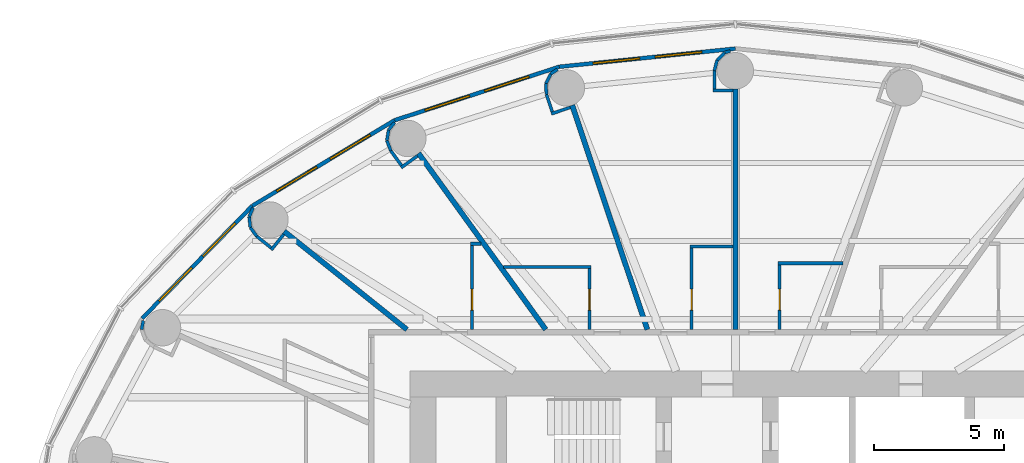
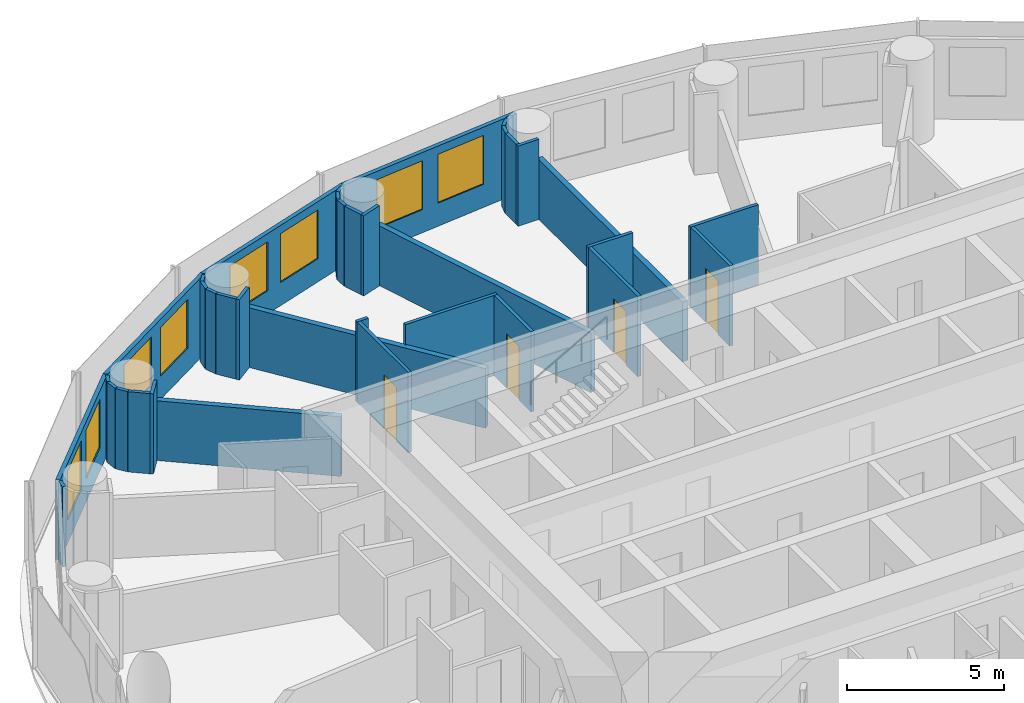
# One storey, part 12 of 14: 37 walls, 8 windows, 4 doors, 12 openings.
"""IFC4 building model written with IfcOpenShell, lengths in metres."""

from ifc_helpers import new_model, si_unit, direction, frame, frame_2d, origin, place, context, subcontext, project, spatial, rectangle, extrude, material, layer, layer_set, type_object, element, fill, save


model = new_model("IFC4")

# Units and contexts
model_context = context("Model", 3, precision=1e-05, world=origin(), true_north=direction((0.0, 1.0)))
body_context = subcontext(model_context, "Body", "Model", "MODEL_VIEW")
ifc_project = project(units=[si_unit("LENGTHUNIT", "METRE"), si_unit("AREAUNIT", "SQUARE_METRE"), si_unit("VOLUMEUNIT", "CUBIC_METRE"), si_unit("PLANEANGLEUNIT", "RADIAN"), si_unit("MASSUNIT", "GRAM", prefix="KILO")], contexts=[model_context])

# Site, building, storey
site_placement = place(None, origin())
site = spatial("IfcSite", under=ifc_project, at=site_placement, CompositionType="ELEMENT")
building_placement = place(site_placement, origin())
building = spatial("IfcBuilding", under=site, at=building_placement, Name="Hankou Lantern Tower", CompositionType="ELEMENT")
storey_placement = place(building_placement, frame((0.0, 0.0, 63.89990234375)))
storey = spatial("IfcBuildingStorey", under=building, at=storey_placement, Name="L15", CompositionType="ELEMENT", Elevation=63.89990234375)

# Wall, openings, windows
ifc_material_1 = material(Name="Aluminium spandrel panel on steel studs", Category="steel")
ifc_layer_1 = layer(ifc_material_1, 0.14990234375)
ifc_layer_set_1 = layer_set([ifc_layer_1], Name="Aluminium spandrel panel on steel studs")
wall_type_1 = type_object("IfcWallType", Name="EW1 INNER SKIN WALL 150", PredefinedType="ELEMENTEDWALL", material=ifc_layer_set_1)
wall_1_placement = place(storey_placement, frame((0.0, 20.89990234375, 0.0), z_axis=(0.0, 0.0, 1.0), x_axis=(-0.994721394369, -0.102612609291, 0.0)))
wall_1 = element("IfcWall", 1, at=wall_1_placement, inside=storey, type_object=wall_type_1, Name="Inner skin R07-R08 L15", PredefinedType="ELEMENTEDWALL", context=body_context, shape_type="SweptSolid", body=[
    extrude(rectangle(XDim=6.80224609375, YDim=0.14990234375, at=frame_2d((3.401123046875, 0.0))), origin(), (0.0, 0.0, 1.0), 3.1201171875),
])
opening_1_placement = place(wall_1_placement, frame((1.301025390625, 0.0, 0.89990234375)))
opening_1 = element("IfcOpeningElement", 2, at=opening_1_placement, cuts=wall_1, Name="Opening W1", PredefinedType="OPENING", context=body_context, shape_type="SweptSolid", body=[
    extrude(rectangle(XDim=1.800048828125, YDim=1.89990234375, at=frame_2d((0.89990234375, 0.949951171875))), frame((0.0, 0.0849609375, 0.0), z_axis=(0.0, -1.0, 0.0), x_axis=(1.0, 0.0, 0.0)), (0.0, 0.0, 1.0), 0.169921875),
])
opening_2_placement = place(wall_1_placement, frame((3.701171875, 0.0, 0.89990234375)))
opening_2 = element("IfcOpeningElement", 3, at=opening_2_placement, cuts=wall_1, Name="Opening W1", PredefinedType="OPENING", context=body_context, shape_type="SweptSolid", body=[
    extrude(rectangle(XDim=1.800048828125, YDim=1.89990234375, at=frame_2d((0.89990234375, 0.949951171875))), frame((0.0, 0.0849609375, 0.0), z_axis=(0.0, -1.0, 0.0), x_axis=(1.0, 0.0, 0.0)), (0.0, 0.0, 1.0), 0.169921875),
])
ifc_material_2 = material(Name="Aluminium framed double glazed window", Category="aluminium")
window_type = type_object("IfcWindowType", Name="W1 GUEST ROOM WINDOW 1800X1900", PartitioningType="DOUBLE_PANEL_VERTICAL", PredefinedType="WINDOW", material=ifc_material_2)
window_1_placement = place(opening_1_placement, origin())
window_1 = element("IfcWindow", 4, at=window_1_placement, inside=storey, type_object=window_type, Name="Window R07.1 L15", OverallHeight=1.89990234375, OverallWidth=1.800048828125, PartitioningType="SINGLE_PANEL", PredefinedType="WINDOW", context=body_context, shape_type="SweptSolid", body=[
    extrude(rectangle(XDim=1.800048828125, YDim=1.89990234375, at=frame_2d((0.89990234375, 0.949951171875))), frame((0.0, 0.030029296875, 0.0), z_axis=(0.0, -1.0, 0.0), x_axis=(1.0, 0.0, 0.0)), (0.0, 0.0, 1.0), 0.06005859375),
])
fill(opening_1, window_1)
window_2_placement = place(opening_2_placement, origin())
window_2 = element("IfcWindow", 5, at=window_2_placement, inside=storey, type_object=window_type, Name="Window R07.2 L15", OverallHeight=1.89990234375, OverallWidth=1.800048828125, PartitioningType="SINGLE_PANEL", PredefinedType="WINDOW", context=body_context, shape_type="SweptSolid", body=[
    extrude(rectangle(XDim=1.800048828125, YDim=1.89990234375, at=frame_2d((0.89990234375, 0.949951171875))), frame((0.0, 0.030029296875, 0.0), z_axis=(0.0, -1.0, 0.0), x_axis=(1.0, 0.0, 0.0)), (0.0, 0.0, 1.0), 0.06005859375),
])
fill(opening_2, window_2)

wall_2_placement = place(storey_placement, frame((-6.766357421875, 20.201904296875, 0.0), z_axis=(0.0, 0.0, 1.0), x_axis=(-0.951137534625, -0.308767534285, 0.0)))
wall_2 = element("IfcWall", 6, at=wall_2_placement, inside=storey, type_object=wall_type_1, Name="Inner skin R08-R09 L15", PredefinedType="ELEMENTEDWALL", context=body_context, shape_type="SweptSolid", body=[
    extrude(rectangle(XDim=6.6552734375, YDim=0.14990234375, at=frame_2d((3.32763671875, 0.0))), origin(), (0.0, 0.0, 1.0), 3.1201171875),
])
opening_3_placement = place(wall_2_placement, frame((1.2275390625, 0.0, 0.89990234375)))
opening_3 = element("IfcOpeningElement", 7, at=opening_3_placement, cuts=wall_2, Name="Opening W1", PredefinedType="OPENING", context=body_context, shape_type="SweptSolid", body=[
    extrude(rectangle(XDim=1.800048828125, YDim=1.89990234375, at=frame_2d((0.89990234375, 0.949951171875))), frame((0.0, 0.0849609375, 0.0), z_axis=(0.0, -1.0, 0.0), x_axis=(1.0, 0.0, 0.0)), (0.0, 0.0, 1.0), 0.169921875),
])
opening_4_placement = place(wall_2_placement, frame((3.627685546875, 0.0, 0.89990234375)))
opening_4 = element("IfcOpeningElement", 8, at=opening_4_placement, cuts=wall_2, Name="Opening W1", PredefinedType="OPENING", context=body_context, shape_type="SweptSolid", body=[
    extrude(rectangle(XDim=1.800048828125, YDim=1.89990234375, at=frame_2d((0.89990234375, 0.949951171875))), frame((0.0, 0.0849609375, 0.0), z_axis=(0.0, -1.0, 0.0), x_axis=(1.0, 0.0, 0.0)), (0.0, 0.0, 1.0), 0.169921875),
])
window_3_placement = place(opening_3_placement, origin())
window_3 = element("IfcWindow", 9, at=window_3_placement, inside=storey, type_object=window_type, Name="Window R08.1 L15", OverallHeight=1.89990234375, OverallWidth=1.800048828125, PartitioningType="SINGLE_PANEL", PredefinedType="WINDOW", context=body_context, shape_type="SweptSolid", body=[
    extrude(rectangle(XDim=1.800048828125, YDim=1.89990234375, at=frame_2d((0.89990234375, 0.949951171875))), frame((0.0, 0.030029296875, 0.0), z_axis=(0.0, -1.0, 0.0), x_axis=(1.0, 0.0, 0.0)), (0.0, 0.0, 1.0), 0.06005859375),
])
fill(opening_3, window_3)
window_4_placement = place(opening_4_placement, origin())
window_4 = element("IfcWindow", 10, at=window_4_placement, inside=storey, type_object=window_type, Name="Window R08.2 L15", OverallHeight=1.89990234375, OverallWidth=1.800048828125, PartitioningType="SINGLE_PANEL", PredefinedType="WINDOW", context=body_context, shape_type="SweptSolid", body=[
    extrude(rectangle(XDim=1.800048828125, YDim=1.89990234375, at=frame_2d((0.89990234375, 0.949951171875))), frame((0.0, 0.030029296875, 0.0), z_axis=(0.0, -1.0, 0.0), x_axis=(1.0, 0.0, 0.0)), (0.0, 0.0, 1.0), 0.06005859375),
])
fill(opening_4, window_4)

wall_3_placement = place(storey_placement, frame((-13.096435546875, 18.14697265625, 0.0), z_axis=(0.0, 0.0, 1.0), x_axis=(-0.856983180864, -0.515344377787, 0.0)))
wall_3 = element("IfcWall", 11, at=wall_3_placement, inside=storey, type_object=wall_type_1, Name="Inner skin R09-R10 L15", PredefinedType="ELEMENTEDWALL", context=body_context, shape_type="SweptSolid", body=[
    extrude(rectangle(XDim=6.386474609375, YDim=0.14990234375, at=frame_2d((3.193359375, 0.0))), origin(), (0.0, 0.0, 1.0), 3.1201171875),
])
opening_5_placement = place(wall_3_placement, frame((1.09326171875, 0.0, 0.89990234375)))
opening_5 = element("IfcOpeningElement", 12, at=opening_5_placement, cuts=wall_3, Name="Opening W1", PredefinedType="OPENING", context=body_context, shape_type="SweptSolid", body=[
    extrude(rectangle(XDim=1.800048828125, YDim=1.89990234375, at=frame_2d((0.89990234375, 0.949951171875))), frame((0.0, 0.0849609375, 0.0), z_axis=(0.0, -1.0, 0.0), x_axis=(1.0, 0.0, 0.0)), (0.0, 0.0, 1.0), 0.169921875),
])
opening_6_placement = place(wall_3_placement, frame((3.4931640625, 0.0, 0.89990234375)))
opening_6 = element("IfcOpeningElement", 13, at=opening_6_placement, cuts=wall_3, Name="Opening W1", PredefinedType="OPENING", context=body_context, shape_type="SweptSolid", body=[
    extrude(rectangle(XDim=1.800048828125, YDim=1.89990234375, at=frame_2d((0.89990234375, 0.949951171875))), frame((0.0, 0.0849609375, 0.0), z_axis=(0.0, -1.0, 0.0), x_axis=(1.0, 0.0, 0.0)), (0.0, 0.0, 1.0), 0.169921875),
])
window_5_placement = place(opening_5_placement, origin())
window_5 = element("IfcWindow", 14, at=window_5_placement, inside=storey, type_object=window_type, Name="Window R09.1 L15", OverallHeight=1.89990234375, OverallWidth=1.800048828125, PartitioningType="SINGLE_PANEL", PredefinedType="WINDOW", context=body_context, shape_type="SweptSolid", body=[
    extrude(rectangle(XDim=1.800048828125, YDim=1.89990234375, at=frame_2d((0.89990234375, 0.949951171875))), frame((0.0, 0.030029296875, 0.0), z_axis=(0.0, -1.0, 0.0), x_axis=(1.0, 0.0, 0.0)), (0.0, 0.0, 1.0), 0.06005859375),
])
fill(opening_5, window_5)
window_6_placement = place(opening_6_placement, origin())
window_6 = element("IfcWindow", 15, at=window_6_placement, inside=storey, type_object=window_type, Name="Window R09.2 L15", OverallHeight=1.89990234375, OverallWidth=1.800048828125, PartitioningType="SINGLE_PANEL", PredefinedType="WINDOW", context=body_context, shape_type="SweptSolid", body=[
    extrude(rectangle(XDim=1.800048828125, YDim=1.89990234375, at=frame_2d((0.89990234375, 0.949951171875))), frame((0.0, 0.030029296875, 0.0), z_axis=(0.0, -1.0, 0.0), x_axis=(1.0, 0.0, 0.0)), (0.0, 0.0, 1.0), 0.06005859375),
])
fill(opening_6, window_6)

wall_4_placement = place(storey_placement, frame((-18.569580078125, 14.855712890625, 0.0), z_axis=(0.0, 0.0, 1.0), x_axis=(-0.699602905915, -0.714531856557, 0.0)))
wall_4 = element("IfcWall", 16, at=wall_4_placement, inside=storey, type_object=wall_type_1, Name="Inner skin R10-R11 L15", PredefinedType="ELEMENTEDWALL", context=body_context, shape_type="SweptSolid", body=[
    extrude(rectangle(XDim=6.05078125, YDim=0.14990234375, at=frame_2d((3.025390625, 0.0))), origin(), (0.0, 0.0, 1.0), 3.1201171875),
])
opening_7_placement = place(wall_4_placement, frame((0.925537109375, 0.0, 0.89990234375)))
opening_7 = element("IfcOpeningElement", 17, at=opening_7_placement, cuts=wall_4, Name="Opening W1", PredefinedType="OPENING", context=body_context, shape_type="SweptSolid", body=[
    extrude(rectangle(XDim=1.800048828125, YDim=1.89990234375, at=frame_2d((0.89990234375, 0.949951171875))), frame((0.0, 0.0849609375, 0.0), z_axis=(0.0, -1.0, 0.0), x_axis=(1.0, 0.0, 0.0)), (0.0, 0.0, 1.0), 0.169921875),
])
opening_8_placement = place(wall_4_placement, frame((3.325439453125, 0.0, 0.89990234375)))
opening_8 = element("IfcOpeningElement", 18, at=opening_8_placement, cuts=wall_4, Name="Opening W1", PredefinedType="OPENING", context=body_context, shape_type="SweptSolid", body=[
    extrude(rectangle(XDim=1.800048828125, YDim=1.89990234375, at=frame_2d((0.89990234375, 0.949951171875))), frame((0.0, 0.0849609375, 0.0), z_axis=(0.0, -1.0, 0.0), x_axis=(1.0, 0.0, 0.0)), (0.0, 0.0, 1.0), 0.169921875),
])
window_7_placement = place(opening_7_placement, origin())
window_7 = element("IfcWindow", 19, at=window_7_placement, inside=storey, type_object=window_type, Name="Window R10.1 L15", OverallHeight=1.89990234375, OverallWidth=1.800048828125, PartitioningType="SINGLE_PANEL", PredefinedType="WINDOW", context=body_context, shape_type="SweptSolid", body=[
    extrude(rectangle(XDim=1.800048828125, YDim=1.89990234375, at=frame_2d((0.89990234375, 0.949951171875))), frame((0.0, 0.030029296875, 0.0), z_axis=(0.0, -1.0, 0.0), x_axis=(1.0, 0.0, 0.0)), (0.0, 0.0, 1.0), 0.06005859375),
])
fill(opening_7, window_7)
window_8_placement = place(opening_8_placement, origin())
window_8 = element("IfcWindow", 20, at=window_8_placement, inside=storey, type_object=window_type, Name="Window R10.2 L15", OverallHeight=1.89990234375, OverallWidth=1.800048828125, PartitioningType="SINGLE_PANEL", PredefinedType="WINDOW", context=body_context, shape_type="SweptSolid", body=[
    extrude(rectangle(XDim=1.800048828125, YDim=1.89990234375, at=frame_2d((0.89990234375, 0.949951171875))), frame((0.0, 0.030029296875, 0.0), z_axis=(0.0, -1.0, 0.0), x_axis=(1.0, 0.0, 0.0)), (0.0, 0.0, 1.0), 0.06005859375),
])
fill(opening_8, window_8)

# Walls
ifc_material_3 = material(Name="Masonry lightweight concrete block", Category="masonry")
ifc_layer_2 = layer(ifc_material_3, 0.199951171875)
ifc_layer_set_2 = layer_set([ifc_layer_2], Name="Masonry lightweight concrete block")
wall_type_2 = type_object("IfcWallType", Name="IW1 GUEST ROOM PARTY WALL 200", PredefinedType="PARTITIONING", material=ifc_layer_set_2)
wall_5_placement = place(storey_placement, frame((0.0, 10.10009765625, 0.0), z_axis=(0.0, 0.0, 1.0), x_axis=(0.0, 1.0, 0.0)))
element("IfcWall", 21, at=wall_5_placement, inside=storey, type_object=wall_type_2, Name="Party wall R07", PredefinedType="PARTITIONING", context=body_context, shape_type="SweptSolid", body=[
    extrude(rectangle(XDim=9.25, YDim=0.199951171875, at=frame_2d((4.625, 0.0))), origin(), (0.0, 0.0, 1.0), 2.320068359375),
])
wall_6_placement = place(storey_placement, frame((-3.3828125, 10.10009765625, 0.0), z_axis=(0.0, 0.0, 1.0), x_axis=(-0.31759592231, 0.948226149256, 0.0)))
element("IfcWall", 22, at=wall_6_placement, inside=storey, type_object=wall_type_2, Name="Party wall R08", PredefinedType="PARTITIONING", context=body_context, shape_type="SweptSolid", body=[
    extrude(rectangle(XDim=9.098388671875, YDim=0.199951171875, at=frame_2d((4.54931640625, 0.0))), origin(), (0.0, 0.0, 1.0), 2.320068359375),
])
wall_7_placement = place(storey_placement, frame((-7.2890625, 10.10009765625, 0.0), z_axis=(0.0, 0.0, 1.0), x_axis=(-0.585198353053, 0.810890182197, 0.0)))
element("IfcWall", 23, at=wall_7_placement, inside=storey, type_object=wall_type_2, Name="Party wall R09", PredefinedType="PARTITIONING", context=body_context, shape_type="SweptSolid", body=[
    extrude(rectangle(XDim=8.359619140625, YDim=0.199951171875, at=frame_2d((4.1796875, 0.0))), origin(), (0.0, 0.0, 1.0), 2.320068359375),
])
wall_8_placement = place(storey_placement, frame((-12.625, 10.10009765625, 0.0), z_axis=(0.0, 0.0, 1.0), x_axis=(-0.780892451574, 0.624665493744, 0.0)))
element("IfcWall", 24, at=wall_8_placement, inside=storey, type_object=wall_type_2, Name="Party wall R10", PredefinedType="PARTITIONING", context=body_context, shape_type="SweptSolid", body=[
    extrude(rectangle(XDim=6.044677734375, YDim=0.199951171875, at=frame_2d((3.0224609375, 0.0))), origin(), (0.0, 0.0, 1.0), 2.320068359375),
])
ifc_material_4 = material(Name="Masonry lightweight concrete block", Category="masonry")
ifc_layer_3 = layer(ifc_material_4, 0.1201171875)
ifc_layer_set_3 = layer_set([ifc_layer_3], Name="Masonry lightweight concrete block")
wall_type_3 = type_object("IfcWallType", Name="IW3 BATHROOM WALL 120", PredefinedType="PARTITIONING", material=ifc_layer_set_3)
wall_9_placement = place(storey_placement, frame((4.136962890625, 12.64990234375, 0.0), z_axis=(0.0, 0.0, 1.0), x_axis=(-1.0, 0.0, 0.0)))
element("IfcWall", 25, at=wall_9_placement, inside=storey, type_object=wall_type_3, Name="Box wall 1506 1", PredefinedType="PARTITIONING", context=body_context, shape_type="SweptSolid", body=[
    extrude(rectangle(XDim=2.494140625, YDim=0.1201171875, at=frame_2d((1.2470703125, 0.0))), origin(), (0.0, 0.0, 1.0), 3.1201171875),
])

# Wall, opening, door
wall_10_placement = place(storey_placement, frame((1.702880859375, 10.10009765625, 0.0), z_axis=(0.0, 0.0, 1.0), x_axis=(0.0, 1.0, 0.0)))
wall_10 = element("IfcWall", 26, at=wall_10_placement, inside=storey, type_object=wall_type_3, Name="Box wall 1506 1", PredefinedType="PARTITIONING", context=body_context, shape_type="SweptSolid", body=[
    extrude(rectangle(XDim=2.489990234375, YDim=0.1201171875, at=frame_2d((1.2451171875, 0.0))), origin(), (0.0, 0.0, 1.0), 3.1201171875),
])
opening_9_placement = place(wall_10_placement, frame((0.75, 0.0, 0.0)))
opening_9 = element("IfcOpeningElement", 27, at=opening_9_placement, cuts=wall_10, Name="Opening D3", PredefinedType="OPENING", context=body_context, shape_type="SweptSolid", body=[
    extrude(rectangle(XDim=0.800048828125, YDim=2.10009765625, at=frame_2d((0.39990234375, 1.050048828125))), frame((0.0, 0.070068359375, 0.0), z_axis=(0.0, -1.0, 0.0), x_axis=(1.0, 0.0, 0.0)), (0.0, 0.0, 1.0), 0.14013671875),
])
ifc_material_5 = material(Name="Timber door leaf", Category="wood")
door_type = type_object("IfcDoorType", Name="D3 BATHROOM DOOR 800X2100", OperationType="SINGLE_SWING_LEFT", PredefinedType="DOOR", material=ifc_material_5)
door_1_placement = place(opening_9_placement, origin())
door_1 = element("IfcDoor", 28, at=door_1_placement, inside=storey, type_object=door_type, Name="En-suite bathroom 1506 door", OperationType="SINGLE_SWING_LEFT", OverallHeight=2.10009765625, OverallWidth=0.800048828125, PredefinedType="DOOR", context=body_context, shape_type="SweptSolid", body=[
    extrude(rectangle(XDim=0.800048828125, YDim=2.10009765625, at=frame_2d((0.39990234375, 1.050048828125))), frame((0.0, 0.02490234375, 0.0), z_axis=(0.0, -1.0, 0.0), x_axis=(1.0, 0.0, 0.0)), (0.0, 0.0, 1.0), 0.050048828125),
])
fill(opening_9, door_1)

# Wall
wall_11_placement = place(storey_placement, frame((-0.10009765625, 13.300048828125, 0.0), z_axis=(0.0, 0.0, 1.0), x_axis=(-1.0, 0.0, 0.0)))
element("IfcWall", 29, at=wall_11_placement, inside=storey, type_object=wall_type_3, Name="Box wall 1507 1", PredefinedType="PARTITIONING", context=body_context, shape_type="SweptSolid", body=[
    extrude(rectangle(XDim=1.639892578125, YDim=0.1201171875, at=frame_2d((0.81982421875, 0.0))), origin(), (0.0, 0.0, 1.0), 3.1201171875),
])

# Wall, opening, door
wall_12_placement = place(storey_placement, frame((-1.679931640625, 10.10009765625, 0.0), z_axis=(0.0, 0.0, 1.0), x_axis=(0.0, 1.0, 0.0)))
wall_12 = element("IfcWall", 30, at=wall_12_placement, inside=storey, type_object=wall_type_3, Name="Box wall 1507 1", PredefinedType="PARTITIONING", context=body_context, shape_type="SweptSolid", body=[
    extrude(rectangle(XDim=3.139892578125, YDim=0.1201171875, at=frame_2d((1.56982421875, 0.0))), origin(), (0.0, 0.0, 1.0), 3.1201171875),
])
opening_10_placement = place(wall_12_placement, frame((0.75, 0.0, 0.0)))
opening_10 = element("IfcOpeningElement", 31, at=opening_10_placement, cuts=wall_12, Name="Opening D3", PredefinedType="OPENING", context=body_context, shape_type="SweptSolid", body=[
    extrude(rectangle(XDim=0.800048828125, YDim=2.10009765625, at=frame_2d((0.39990234375, 1.050048828125))), frame((0.0, 0.070068359375, 0.0), z_axis=(0.0, -1.0, 0.0), x_axis=(1.0, 0.0, 0.0)), (0.0, 0.0, 1.0), 0.14013671875),
])
door_2_placement = place(opening_10_placement, origin())
door_2 = element("IfcDoor", 32, at=door_2_placement, inside=storey, type_object=door_type, Name="En-suite bathroom 1507 door", OperationType="SINGLE_SWING_LEFT", OverallHeight=2.10009765625, OverallWidth=0.800048828125, PredefinedType="DOOR", context=body_context, shape_type="SweptSolid", body=[
    extrude(rectangle(XDim=0.800048828125, YDim=2.10009765625, at=frame_2d((0.39990234375, 1.050048828125))), frame((0.0, 0.02490234375, 0.0), z_axis=(0.0, -1.0, 0.0), x_axis=(1.0, 0.0, 0.0)), (0.0, 0.0, 1.0), 0.050048828125),
])
fill(opening_10, door_2)

# Wall
wall_13_placement = place(storey_placement, frame((-8.921142578125, 12.5, 0.0), z_axis=(0.0, 0.0, 1.0), x_axis=(1.0, 0.0, 0.0)))
element("IfcWall", 33, at=wall_13_placement, inside=storey, type_object=wall_type_3, Name="Box wall 1508 1", PredefinedType="PARTITIONING", context=body_context, shape_type="SweptSolid", body=[
    extrude(rectangle(XDim=3.3720703125, YDim=0.1201171875, at=frame_2d((1.68603515625, 0.0))), origin(), (0.0, 0.0, 1.0), 3.1201171875),
])

# Wall, opening, door
wall_14_placement = place(storey_placement, frame((-5.609130859375, 10.10009765625, 0.0), z_axis=(0.0, 0.0, 1.0), x_axis=(0.0, 1.0, 0.0)))
wall_14 = element("IfcWall", 34, at=wall_14_placement, inside=storey, type_object=wall_type_3, Name="Box wall 1508 1", PredefinedType="PARTITIONING", context=body_context, shape_type="SweptSolid", body=[
    extrude(rectangle(XDim=2.33984375, YDim=0.1201171875, at=frame_2d((1.169921875, 0.0))), origin(), (0.0, 0.0, 1.0), 3.1201171875),
])
opening_11_placement = place(wall_14_placement, frame((0.75, 0.0, 0.0)))
opening_11 = element("IfcOpeningElement", 35, at=opening_11_placement, cuts=wall_14, Name="Opening D3", PredefinedType="OPENING", context=body_context, shape_type="SweptSolid", body=[
    extrude(rectangle(XDim=0.800048828125, YDim=2.10009765625, at=frame_2d((0.39990234375, 1.050048828125))), frame((0.0, 0.070068359375, 0.0), z_axis=(0.0, -1.0, 0.0), x_axis=(1.0, 0.0, 0.0)), (0.0, 0.0, 1.0), 0.14013671875),
])
door_3_placement = place(opening_11_placement, origin())
door_3 = element("IfcDoor", 36, at=door_3_placement, inside=storey, type_object=door_type, Name="En-suite bathroom 1508 door", OperationType="SINGLE_SWING_LEFT", OverallHeight=2.10009765625, OverallWidth=0.800048828125, PredefinedType="DOOR", context=body_context, shape_type="SweptSolid", body=[
    extrude(rectangle(XDim=0.800048828125, YDim=2.10009765625, at=frame_2d((0.39990234375, 1.050048828125))), frame((0.0, 0.02490234375, 0.0), z_axis=(0.0, -1.0, 0.0), x_axis=(1.0, 0.0, 0.0)), (0.0, 0.0, 1.0), 0.050048828125),
])
fill(opening_11, door_3)

# Wall
wall_15_placement = place(storey_placement, frame((-9.7705078125, 13.39990234375, 0.0), z_axis=(0.0, 0.0, 1.0), x_axis=(-1.0, 0.0, 0.0)))
element("IfcWall", 37, at=wall_15_placement, inside=storey, type_object=wall_type_3, Name="Box wall 1509 1", PredefinedType="PARTITIONING", context=body_context, shape_type="SweptSolid", body=[
    extrude(rectangle(XDim=0.408447265625, YDim=0.1201171875, at=frame_2d((0.2041015625, 0.0))), origin(), (0.0, 0.0, 1.0), 3.1201171875),
])

# Wall, opening, door
wall_16_placement = place(storey_placement, frame((-10.119140625, 10.10009765625, 0.0), z_axis=(0.0, 0.0, 1.0), x_axis=(0.0, 1.0, 0.0)))
wall_16 = element("IfcWall", 38, at=wall_16_placement, inside=storey, type_object=wall_type_3, Name="Box wall 1509 1", PredefinedType="PARTITIONING", context=body_context, shape_type="SweptSolid", body=[
    extrude(rectangle(XDim=3.239990234375, YDim=0.1201171875, at=frame_2d((1.6201171875, 0.0))), origin(), (0.0, 0.0, 1.0), 3.1201171875),
])
opening_12_placement = place(wall_16_placement, frame((0.75, 0.0, 0.0)))
opening_12 = element("IfcOpeningElement", 39, at=opening_12_placement, cuts=wall_16, Name="Opening D3", PredefinedType="OPENING", context=body_context, shape_type="SweptSolid", body=[
    extrude(rectangle(XDim=0.800048828125, YDim=2.10009765625, at=frame_2d((0.39990234375, 1.050048828125))), frame((0.0, 0.070068359375, 0.0), z_axis=(0.0, -1.0, 0.0), x_axis=(1.0, 0.0, 0.0)), (0.0, 0.0, 1.0), 0.14013671875),
])
door_4_placement = place(opening_12_placement, origin())
door_4 = element("IfcDoor", 40, at=door_4_placement, inside=storey, type_object=door_type, Name="En-suite bathroom 1509 door", OperationType="SINGLE_SWING_LEFT", OverallHeight=2.10009765625, OverallWidth=0.800048828125, PredefinedType="DOOR", context=body_context, shape_type="SweptSolid", body=[
    extrude(rectangle(XDim=0.800048828125, YDim=2.10009765625, at=frame_2d((0.39990234375, 1.050048828125))), frame((0.0, 0.02490234375, 0.0), z_axis=(0.0, -1.0, 0.0), x_axis=(1.0, 0.0, 0.0)), (0.0, 0.0, 1.0), 0.050048828125),
])
fill(opening_12, door_4)

# Walls
ifc_material_6 = material(Name="Masonry lightweight concrete block", Category="masonry")
ifc_layer_4 = layer(ifc_material_6, 0.1201171875)
ifc_layer_set_4 = layer_set([ifc_layer_4], Name="Masonry lightweight concrete block")
wall_type_4 = type_object("IfcWallType", Name="IW4 PARTITION 120", PredefinedType="PARTITIONING", material=ifc_layer_set_4)
wall_17_placement = place(storey_placement, frame((-0.10009765625, 19.2900390625, 0.0), z_axis=(0.0, 0.0, 1.0), x_axis=(-1.0, 0.0, 0.0)))
element("IfcWall", 41, at=wall_17_placement, inside=storey, type_object=wall_type_4, Name="Column casing R07 return", PredefinedType="PARTITIONING", context=body_context, shape_type="SweptSolid", body=[
    extrude(rectangle(XDim=0.767333984375, YDim=0.1201171875, at=frame_2d((0.3837890625, 0.0))), origin(), (0.0, 0.0, 1.0), 3.1201171875),
])
wall_18_placement = place(storey_placement, frame((-0.8076171875, 19.35009765625, 0.0), z_axis=(0.0, 0.0, 1.0), x_axis=(0.0, 1.0, 0.0)))
element("IfcWall", 42, at=wall_18_placement, inside=storey, type_object=wall_type_4, Name="Column casing R07", PredefinedType="PARTITIONING", context=body_context, shape_type="SweptSolid", body=[
    extrude(rectangle(XDim=0.699951171875, YDim=0.1201171875, at=frame_2d((0.35009765625, 0.0))), origin(), (0.0, 0.0, 1.0), 3.1201171875),
])
wall_19_placement = place(storey_placement, frame((-0.8076171875, 20.050048828125, 0.0), z_axis=(0.0, 0.0, 1.0), x_axis=(0.2592614205, 0.965807183573, 0.0)))
element("IfcWall", 43, at=wall_19_placement, inside=storey, type_object=wall_type_4, Name="Column casing R07", PredefinedType="PARTITIONING", context=body_context, shape_type="SweptSolid", body=[
    extrude(rectangle(XDim=0.418212890625, YDim=0.1201171875, at=frame_2d((0.208984375, 0.0))), origin(), (0.0, 0.0, 1.0), 3.1201171875),
])
wall_20_placement = place(storey_placement, frame((-0.69921875, 20.453857421875, 0.0), z_axis=(0.0, 0.0, 1.0), x_axis=(0.707106781187, 0.707106781187, 0.0)))
element("IfcWall", 44, at=wall_20_placement, inside=storey, type_object=wall_type_4, Name="Column casing R07", PredefinedType="PARTITIONING", context=body_context, shape_type="SweptSolid", body=[
    extrude(rectangle(XDim=0.417724609375, YDim=0.1201171875, at=frame_2d((0.208984375, 0.0))), origin(), (0.0, 0.0, 1.0), 3.1201171875),
])
wall_21_placement = place(storey_placement, frame((-0.40380859375, 20.749267578125, 0.0), z_axis=(0.0, 0.0, 1.0), x_axis=(0.965759066438, 0.25944060128, 0.0)))
element("IfcWall", 45, at=wall_21_placement, inside=storey, type_object=wall_type_4, Name="Column casing R07", PredefinedType="PARTITIONING", context=body_context, shape_type="SweptSolid", body=[
    extrude(rectangle(XDim=0.213623046875, YDim=0.1201171875, at=frame_2d((0.10693359375, 0.0))), origin(), (0.0, 0.0, 1.0), 3.1201171875),
])
wall_22_placement = place(storey_placement, frame((-6.348388671875, 18.638916015625, 0.0), z_axis=(0.0, 0.0, 1.0), x_axis=(-0.948268951266, -0.317468102437, 0.0)))
element("IfcWall", 46, at=wall_22_placement, inside=storey, type_object=wall_type_4, Name="Column casing R08 return", PredefinedType="PARTITIONING", context=body_context, shape_type="SweptSolid", body=[
    extrude(rectangle(XDim=0.767578125, YDim=0.1201171875, at=frame_2d((0.3837890625, 0.0))), origin(), (0.0, 0.0, 1.0), 3.1201171875),
])
wall_23_placement = place(storey_placement, frame((-7.038330078125, 18.47119140625, 0.0), z_axis=(0.0, 0.0, 1.0), x_axis=(-0.317378466199, 0.9482989556, 0.0)))
element("IfcWall", 47, at=wall_23_placement, inside=storey, type_object=wall_type_4, Name="Column casing R08", PredefinedType="PARTITIONING", context=body_context, shape_type="SweptSolid", body=[
    extrude(rectangle(XDim=0.699951171875, YDim=0.1201171875, at=frame_2d((0.35009765625, 0.0))), origin(), (0.0, 0.0, 1.0), 3.1201171875),
])
wall_24_placement = place(storey_placement, frame((-7.260498046875, 19.135009765625, 0.0), z_axis=(0.0, 0.0, 1.0), x_axis=(-0.0613238046, 0.99811792439, 0.0)))
element("IfcWall", 48, at=wall_24_placement, inside=storey, type_object=wall_type_4, Name="Column casing R08", PredefinedType="PARTITIONING", context=body_context, shape_type="SweptSolid", body=[
    extrude(rectangle(XDim=0.41796875, YDim=0.1201171875, at=frame_2d((0.208984375, 0.0))), origin(), (0.0, 0.0, 1.0), 3.1201171875),
])
wall_25_placement = place(storey_placement, frame((-7.2861328125, 19.55224609375, 0.0), z_axis=(0.0, 0.0, 1.0), x_axis=(0.445810757773, 0.89512723579, 0.0)))
element("IfcWall", 49, at=wall_25_placement, inside=storey, type_object=wall_type_4, Name="Column casing R08", PredefinedType="PARTITIONING", context=body_context, shape_type="SweptSolid", body=[
    extrude(rectangle(XDim=0.417724609375, YDim=0.1201171875, at=frame_2d((0.208984375, 0.0))), origin(), (0.0, 0.0, 1.0), 3.1201171875),
])
wall_26_placement = place(storey_placement, frame((-7.099853515625, 19.92626953125, 0.0), z_axis=(0.0, 0.0, 1.0), x_axis=(0.833488262509, 0.552537162787, 0.0)))
element("IfcWall", 50, at=wall_26_placement, inside=storey, type_object=wall_type_4, Name="Column casing R08", PredefinedType="PARTITIONING", context=body_context, shape_type="SweptSolid", body=[
    extrude(rectangle(XDim=0.312744140625, YDim=0.1201171875, at=frame_2d((0.15625, 0.0))), origin(), (0.0, 0.0, 1.0), 3.1201171875),
])
wall_27_placement = place(storey_placement, frame((-12.227294921875, 16.771728515625, 0.0), z_axis=(0.0, 0.0, 1.0), x_axis=(-0.810821798253, -0.585293098778, 0.0)))
element("IfcWall", 51, at=wall_27_placement, inside=storey, type_object=wall_type_4, Name="Column casing R09 return", PredefinedType="PARTITIONING", context=body_context, shape_type="SweptSolid", body=[
    extrude(rectangle(XDim=0.767578125, YDim=0.1201171875, at=frame_2d((0.3837890625, 0.0))), origin(), (0.0, 0.0, 1.0), 3.1201171875),
])
wall_28_placement = place(storey_placement, frame((-12.8359375, 16.40625, 0.0), z_axis=(0.0, 0.0, 1.0), x_axis=(-0.585223113993, 0.810872312296, 0.0)))
element("IfcWall", 52, at=wall_28_placement, inside=storey, type_object=wall_type_4, Name="Column casing R09", PredefinedType="PARTITIONING", context=body_context, shape_type="SweptSolid", body=[
    extrude(rectangle(XDim=0.699951171875, YDim=0.1201171875, at=frame_2d((0.35009765625, 0.0))), origin(), (0.0, 0.0, 1.0), 3.1201171875),
])
wall_29_placement = place(storey_placement, frame((-13.24560546875, 16.973876953125, 0.0), z_axis=(0.0, 0.0, 1.0), x_axis=(-0.355728122235, 0.934589483705, 0.0)))
element("IfcWall", 53, at=wall_29_placement, inside=storey, type_object=wall_type_4, Name="Column casing R09", PredefinedType="PARTITIONING", context=body_context, shape_type="SweptSolid", body=[
    extrude(rectangle(XDim=0.41796875, YDim=0.1201171875, at=frame_2d((0.208984375, 0.0))), origin(), (0.0, 0.0, 1.0), 3.1201171875),
])
wall_30_placement = place(storey_placement, frame((-13.394287109375, 17.364501953125, 0.0), z_axis=(0.0, 0.0, 1.0), x_axis=(0.159379276926, 0.987217425943, 0.0)))
element("IfcWall", 54, at=wall_30_placement, inside=storey, type_object=wall_type_4, Name="Column casing R09", PredefinedType="PARTITIONING", context=body_context, shape_type="SweptSolid", body=[
    extrude(rectangle(XDim=0.418212890625, YDim=0.1201171875, at=frame_2d((0.208984375, 0.0))), origin(), (0.0, 0.0, 1.0), 3.1201171875),
])
wall_31_placement = place(storey_placement, frame((-13.32763671875, 17.77734375, 0.0), z_axis=(0.0, 0.0, 1.0), x_axis=(0.632276783541, 0.774742582407, 0.0)))
element("IfcWall", 55, at=wall_31_placement, inside=storey, type_object=wall_type_4, Name="Column casing R09", PredefinedType="PARTITIONING", context=body_context, shape_type="SweptSolid", body=[
    extrude(rectangle(XDim=0.35986328125, YDim=0.1201171875, at=frame_2d((0.179931640625, 0.0))), origin(), (0.0, 0.0, 1.0), 3.1201171875),
])
wall_32_placement = place(storey_placement, frame((-17.36083984375, 13.760498046875, 0.0), z_axis=(0.0, 0.0, 1.0), x_axis=(-0.624501042889, -0.781023973659, 0.0)))
element("IfcWall", 56, at=wall_32_placement, inside=storey, type_object=wall_type_4, Name="Column casing R10 return", PredefinedType="PARTITIONING", context=body_context, shape_type="SweptSolid", body=[
    extrude(rectangle(XDim=0.767333984375, YDim=0.1201171875, at=frame_2d((0.3837890625, 0.0))), origin(), (0.0, 0.0, 1.0), 3.1201171875),
])
wall_33_placement = place(storey_placement, frame((-17.849609375, 13.24560546875, 0.0), z_axis=(0.0, 0.0, 1.0), x_axis=(-0.780902834923, 0.62465251333, 0.0)))
element("IfcWall", 57, at=wall_33_placement, inside=storey, type_object=wall_type_4, Name="Column casing R10", PredefinedType="PARTITIONING", context=body_context, shape_type="SweptSolid", body=[
    extrude(rectangle(XDim=0.699951171875, YDim=0.1201171875, at=frame_2d((0.35009765625, 0.0))), origin(), (0.0, 0.0, 1.0), 3.1201171875),
])
for number, where, z_axis, x_axis, name in (
    (58, (-18.396240234375, 13.682861328125, 0.0), (0.0, 0.0, 1.0), (-0.592401603461, 0.805642811807, 0.0), "Column casing R10"),
    (59, (-18.643798828125, 14.01953125, 0.0), (0.0, 0.0, 1.0), (-0.110367433259, 0.993890854006, 0.0), "Column casing R10"),
):
    element("IfcWall", number, at=place(storey_placement, frame(where, z_axis=z_axis, x_axis=x_axis)), inside=storey, type_object=wall_type_4, Name=name, PredefinedType="PARTITIONING", context=body_context, shape_type="SweptSolid", body=[
        extrude(rectangle(XDim=0.41796875, YDim=0.1201171875, at=frame_2d((0.208984375, 0.0))), origin(), (0.0, 0.0, 1.0), 3.1201171875),
    ])
wall_34_placement = place(storey_placement, frame((-18.68994140625, 14.43505859375, 0.0), z_axis=(0.0, 0.0, 1.0), x_axis=(0.401093412634, 0.91603715773, 0.0)))
element("IfcWall", 60, at=wall_34_placement, inside=storey, type_object=wall_type_4, Name="Column casing R10", PredefinedType="PARTITIONING", context=body_context, shape_type="SweptSolid", body=[
    extrude(rectangle(XDim=0.373046875, YDim=0.1201171875, at=frame_2d((0.1865234375, 0.0))), origin(), (0.0, 0.0, 1.0), 3.1201171875),
])
wall_35_placement = place(storey_placement, frame((-22.8232421875, 10.096923828125, 0.0), z_axis=(0.0, 0.0, 1.0), x_axis=(0.169674995186, 0.985500074079, 0.0)))
element("IfcWall", 61, at=wall_35_placement, inside=storey, type_object=wall_type_4, Name="Column casing R11", PredefinedType="PARTITIONING", context=body_context, shape_type="SweptSolid", body=[
    extrude(rectangle(XDim=0.3525390625, YDim=0.1201171875, at=frame_2d((0.17626953125, 0.0))), origin(), (0.0, 0.0, 1.0), 3.1201171875),
])

save(model, "model.ifc")
